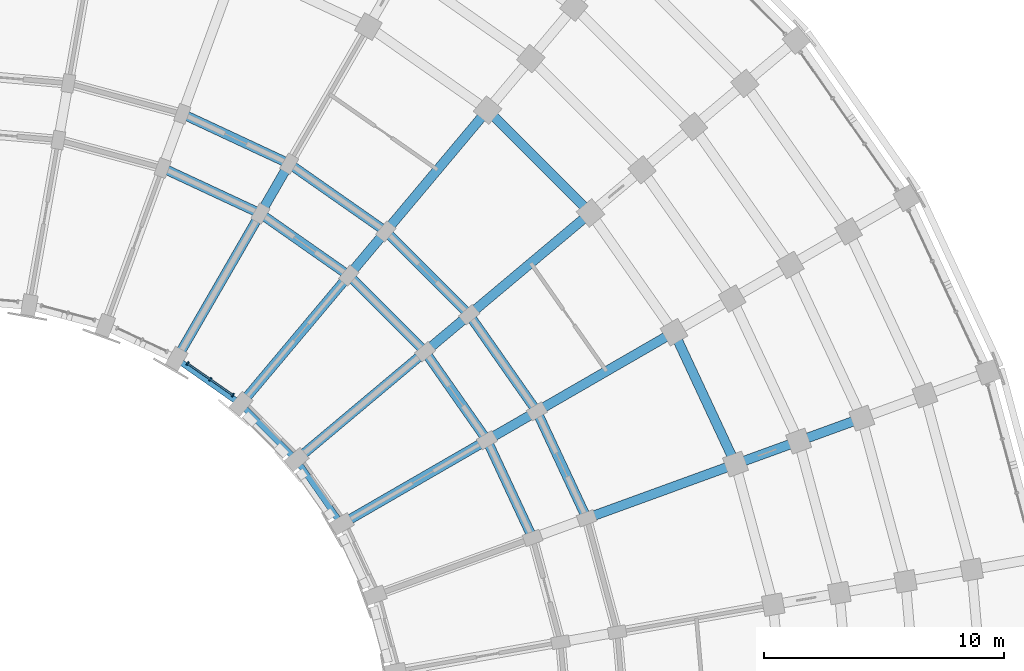
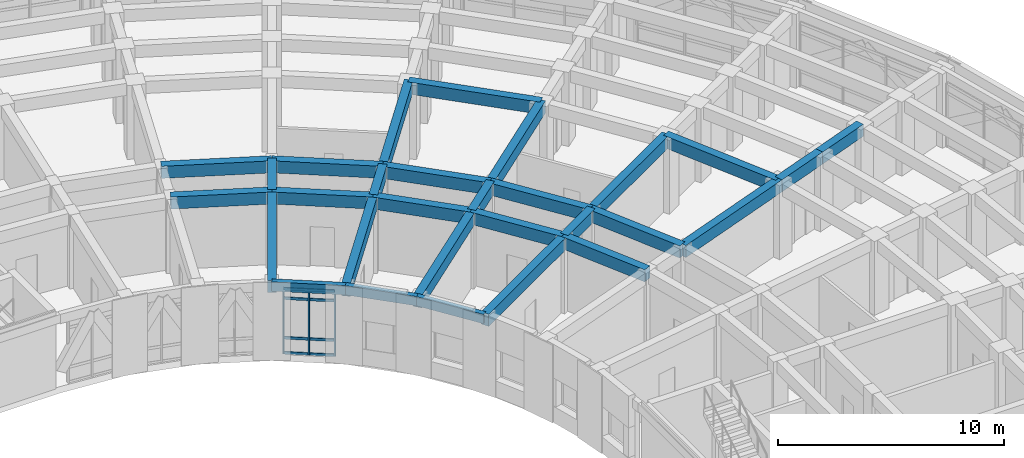
# One storey, part 33 of 97: 29 beams, 7 members, 1 element without a shape of its own.
"""IFC4 building model written with IfcOpenShell, lengths in metres."""

from ifc_helpers import new_model, si_unit, direction, frame, origin, origin_2d, place, context, subcontext, project, spatial, rectangle, extrude, material, material_profile, profile_set, type_object, element, aggregate, save


model = new_model("IFC4")

# Units and contexts
model_context = context("Model", 3, precision=1e-05, world=origin(), true_north=direction((0.0, 1.0)))
body_context = subcontext(model_context, "Body", "Model", "MODEL_VIEW")
ifc_project = project(units=[si_unit("LENGTHUNIT", "METRE"), si_unit("AREAUNIT", "SQUARE_METRE"), si_unit("VOLUMEUNIT", "CUBIC_METRE"), si_unit("PLANEANGLEUNIT", "RADIAN"), si_unit("MASSUNIT", "GRAM", prefix="KILO")], contexts=[model_context])

# Site, building, storey
site_placement = place(None, origin())
site = spatial("IfcSite", under=ifc_project, at=site_placement, CompositionType="ELEMENT")
building_placement = place(site_placement, origin())
building = spatial("IfcBuilding", under=site, at=building_placement, Name="Kiranvali Square Residences", CompositionType="ELEMENT")
storey_placement = place(building_placement, frame((0.0, 0.0, 4.5)))
storey = spatial("IfcBuildingStorey", under=building, at=storey_placement, Name="L01", CompositionType="ELEMENT", Elevation=4.5)

# Beams
ifc_material_1 = material(Name="Concrete M45 (45 MPa)", Category="concrete")
ifc_material_profile_1 = material_profile(ifc_material_1, rectangle(XDim=0.39990234375, YDim=0.64990234375, at=origin_2d()), Name="RC 400x650")
ifc_profile_set_1 = profile_set([ifc_material_profile_1], Name="Concrete M45 (45 MPa)")
beam_type_1 = type_object("IfcBeamType", Name="BM-M45-400x650", PredefinedType="BEAM", material=ifc_profile_set_1)
beam_1_placement = place(storey_placement, frame((128.6240234375, 112.044189453125, 3.655029296875), z_axis=(0.906307919131, -0.422617978463, 0.0), x_axis=(0.422617978463, 0.906307919131, 0.0)))
element("IfcBeam", 1, at=beam_1_placement, inside=storey, type_object=beam_type_1, Name="L01 beam BM-B-L01-C02-R1", PredefinedType="BEAM", context=body_context, shape_type="SweptSolid", body=[
    extrude(rectangle(XDim=0.39990234375, YDim=0.64990234375, at=origin_2d()), origin(), (0.0, 0.0, 1.0), 4.497314453125),
])
beam_2_placement = place(storey_placement, frame((129.445068359375, 114.29931640625, 3.655029296875), z_axis=(0.906302381024, -0.422629854778, 0.0), x_axis=(0.422629854778, 0.906302381024, 0.0)))
element("IfcBeam", 2, at=beam_2_placement, inside=storey, type_object=beam_type_1, Name="L01 beam BM-B-L01-C02-R2", PredefinedType="BEAM", context=body_context, shape_type="SweptSolid", body=[
    extrude(rectangle(XDim=0.39990234375, YDim=0.64990234375, at=origin_2d()), origin(), (0.0, 0.0, 1.0), 4.915283203125),
])
beam_3_placement = place(storey_placement, frame((132.699951171875, 110.1435546875, 3.655029296875), z_axis=(0.819155404658, -0.573571637217, 0.0), x_axis=(0.573571637217, 0.819155404658, 0.0)))
element("IfcBeam", 3, at=beam_3_placement, inside=storey, type_object=beam_type_1, Name="L01 beam BM-B-L01-C03-R1", PredefinedType="BEAM", context=body_context, shape_type="SweptSolid", body=[
    extrude(rectangle(XDim=0.39990234375, YDim=0.64990234375, at=origin_2d()), origin(), (0.0, 0.0, 1.0), 4.497314453125),
])
beam_4_placement = place(storey_placement, frame((133.89990234375, 112.221923828125, 3.655029296875), z_axis=(0.819140911474, -0.573592335331, 0.0), x_axis=(0.573592335331, 0.819140911474, 0.0)))
element("IfcBeam", 4, at=beam_4_placement, inside=storey, type_object=beam_type_1, Name="L01 beam BM-B-L01-C03-R2", PredefinedType="BEAM", context=body_context, shape_type="SweptSolid", body=[
    extrude(rectangle(XDim=0.39990234375, YDim=0.64990234375, at=origin_2d()), origin(), (0.0, 0.0, 1.0), 4.915771484375),
])
beam_5_placement = place(storey_placement, frame((136.384033203125, 107.56396484375, 3.655029296875), z_axis=(0.707106781187, -0.707106781187, 0.0), x_axis=(0.707106781187, 0.707106781187, 0.0)))
element("IfcBeam", 5, at=beam_5_placement, inside=storey, type_object=beam_type_1, Name="L01 beam BM-B-L01-C04-R1", PredefinedType="BEAM", context=body_context, shape_type="SweptSolid", body=[
    extrude(rectangle(XDim=0.39990234375, YDim=0.64990234375, at=origin_2d()), origin(), (0.0, 0.0, 1.0), 4.4970703125),
])
beam_6_placement = place(storey_placement, frame((137.926513671875, 109.40234375, 3.655029296875), z_axis=(0.707106781187, -0.707106781187, 0.0), x_axis=(0.707106781187, 0.707106781187, 0.0)))
element("IfcBeam", 6, at=beam_6_placement, inside=storey, type_object=beam_type_1, Name="L01 beam BM-B-L01-C04-R2", PredefinedType="BEAM", context=body_context, shape_type="SweptSolid", body=[
    extrude(rectangle(XDim=0.39990234375, YDim=0.64990234375, at=origin_2d()), origin(), (0.0, 0.0, 1.0), 4.91552734375),
])
beam_7_placement = place(storey_placement, frame((142.1689453125, 114.458251953125, 3.655029296875), z_axis=(0.707106781187, -0.707106781187, 0.0), x_axis=(0.707106781187, 0.707106781187, 0.0)))
element("IfcBeam", 7, at=beam_7_placement, inside=storey, type_object=beam_type_1, Name="L01 beam BM-B-L01-C04-R3", PredefinedType="BEAM", context=body_context, shape_type="SweptSolid", body=[
    extrude(rectangle(XDim=0.39990234375, YDim=0.64990234375, at=origin_2d()), origin(), (0.0, 0.0, 1.0), 6.06591796875),
])
beam_8_placement = place(storey_placement, frame((139.56396484375, 104.384033203125, 3.655029296875), z_axis=(0.573571637217, -0.819155404658, 0.0), x_axis=(0.819155404658, 0.573571637217, 0.0)))
element("IfcBeam", 8, at=beam_8_placement, inside=storey, type_object=beam_type_1, Name="L01 beam BM-B-L01-C05-R1", PredefinedType="BEAM", context=body_context, shape_type="SweptSolid", body=[
    extrude(rectangle(XDim=0.39990234375, YDim=0.64990234375, at=origin_2d()), origin(), (0.0, 0.0, 1.0), 4.497314453125),
])
beam_9_placement = place(storey_placement, frame((141.40234375, 105.926513671875, 3.655029296875), z_axis=(0.573592335331, -0.819140911474, 0.0), x_axis=(0.819140911474, 0.573592335331, 0.0)))
element("IfcBeam", 9, at=beam_9_placement, inside=storey, type_object=beam_type_1, Name="L01 beam BM-B-L01-C05-R2", PredefinedType="BEAM", context=body_context, shape_type="SweptSolid", body=[
    extrude(rectangle(XDim=0.39990234375, YDim=0.64990234375, at=origin_2d()), origin(), (0.0, 0.0, 1.0), 4.915771484375),
])
beam_10_placement = place(storey_placement, frame((142.1435546875, 100.699951171875, 3.655029296875), z_axis=(0.422617978463, -0.906307919131, 0.0), x_axis=(0.906307919131, 0.422617978463, 0.0)))
element("IfcBeam", 10, at=beam_10_placement, inside=storey, type_object=beam_type_1, Name="L01 beam BM-B-L01-C06-R1", PredefinedType="BEAM", context=body_context, shape_type="SweptSolid", body=[
    extrude(rectangle(XDim=0.39990234375, YDim=0.64990234375, at=origin_2d()), origin(), (0.0, 0.0, 1.0), 4.497314453125),
])
beam_11_placement = place(storey_placement, frame((144.221923828125, 101.89990234375, 3.655029296875), z_axis=(0.422629854778, -0.906302381024, 0.0), x_axis=(0.906302381024, 0.422629854778, 0.0)))
element("IfcBeam", 11, at=beam_11_placement, inside=storey, type_object=beam_type_1, Name="L01 beam BM-B-L01-C06-R2", PredefinedType="BEAM", context=body_context, shape_type="SweptSolid", body=[
    extrude(rectangle(XDim=0.39990234375, YDim=0.64990234375, at=origin_2d()), origin(), (0.0, 0.0, 1.0), 4.915283203125),
])
beam_12_placement = place(storey_placement, frame((149.937744140625, 105.199951171875, 3.655029296875), z_axis=(0.42260781991, -0.906312656069, 0.0), x_axis=(0.906312656069, 0.42260781991, 0.0)))
element("IfcBeam", 12, at=beam_12_placement, inside=storey, type_object=beam_type_1, Name="L01 beam BM-B-L01-C06-R3", PredefinedType="BEAM", context=body_context, shape_type="SweptSolid", body=[
    extrude(rectangle(XDim=0.39990234375, YDim=0.64990234375, at=origin_2d()), origin(), (0.0, 0.0, 1.0), 6.06591796875),
])
beam_13_placement = place(storey_placement, frame((129.199951171875, 104.081298828125, 3.655029296875), z_axis=(0.499995173006, 0.866028190633, 0.0), x_axis=(-0.866028190633, 0.499995173006, 0.0)))
element("IfcBeam", 13, at=beam_13_placement, inside=storey, type_object=beam_type_1, Name="L01 beam BM-B-L01-RAD03-01", PredefinedType="BEAM", context=body_context, shape_type="SweptSolid", body=[
    extrude(rectangle(XDim=0.39990234375, YDim=0.64990234375, at=origin_2d()), origin(), (0.0, 0.0, 1.0), 7.0),
])
beam_14_placement = place(storey_placement, frame((132.699951171875, 110.1435546875, 3.655029296875), z_axis=(0.500001309137, 0.866024647952, 0.0), x_axis=(-0.866024647952, 0.500001309137, 0.0)))
element("IfcBeam", 14, at=beam_14_placement, inside=storey, type_object=beam_type_1, Name="L01 beam BM-B-L01-RAD03-12", PredefinedType="BEAM", context=body_context, shape_type="SweptSolid", body=[
    extrude(rectangle(XDim=0.39990234375, YDim=0.64990234375, at=origin_2d()), origin(), (0.0, 0.0, 1.0), 2.39990234375),
])
beam_15_placement = place(storey_placement, frame((131.884521484375, 102.20166015625, 3.655029296875), z_axis=(0.642787931032, 0.766044173478, 0.0), x_axis=(-0.766044173478, 0.642787931032, 0.0)))
element("IfcBeam", 15, at=beam_15_placement, inside=storey, type_object=beam_type_1, Name="L01 beam BM-B-L01-RAD04-01", PredefinedType="BEAM", context=body_context, shape_type="SweptSolid", body=[
    extrude(rectangle(XDim=0.39990234375, YDim=0.64990234375, at=origin_2d()), origin(), (0.0, 0.0, 1.0), 7.0),
])
beam_16_placement = place(storey_placement, frame((136.384033203125, 107.56396484375, 3.655029296875), z_axis=(0.642762521781, 0.766065493671, 0.0), x_axis=(-0.766065493671, 0.642762521781, 0.0)))
element("IfcBeam", 16, at=beam_16_placement, inside=storey, type_object=beam_type_1, Name="L01 beam BM-B-L01-RAD04-12", PredefinedType="BEAM", context=body_context, shape_type="SweptSolid", body=[
    extrude(rectangle(XDim=0.39990234375, YDim=0.64990234375, at=origin_2d()), origin(), (0.0, 0.0, 1.0), 2.399658203125),
])
beam_17_placement = place(storey_placement, frame((137.926513671875, 109.40234375, 3.655029296875), z_axis=(0.642789470807, 0.766042881449, 0.0), x_axis=(-0.766042881449, 0.642789470807, 0.0)))
element("IfcBeam", 17, at=beam_17_placement, inside=storey, type_object=beam_type_1, Name="L01 beam BM-B-L01-RAD04-23", PredefinedType="BEAM", context=body_context, shape_type="SweptSolid", body=[
    extrude(rectangle(XDim=0.39990234375, YDim=0.64990234375, at=origin_2d()), origin(), (0.0, 0.0, 1.0), 6.60009765625),
])
beam_18_placement = place(storey_placement, frame((134.20166015625, 99.884521484375, 3.655029296875), z_axis=(0.766044173478, 0.642787931032, 0.0), x_axis=(-0.642787931032, 0.766044173478, 0.0)))
element("IfcBeam", 18, at=beam_18_placement, inside=storey, type_object=beam_type_1, Name="L01 beam BM-B-L01-RAD05-01", PredefinedType="BEAM", context=body_context, shape_type="SweptSolid", body=[
    extrude(rectangle(XDim=0.39990234375, YDim=0.64990234375, at=origin_2d()), origin(), (0.0, 0.0, 1.0), 7.0),
])
beam_19_placement = place(storey_placement, frame((139.56396484375, 104.384033203125, 3.655029296875), z_axis=(0.766065493671, 0.642762521781, 0.0), x_axis=(-0.642762521781, 0.766065493671, 0.0)))
element("IfcBeam", 19, at=beam_19_placement, inside=storey, type_object=beam_type_1, Name="L01 beam BM-B-L01-RAD05-12", PredefinedType="BEAM", context=body_context, shape_type="SweptSolid", body=[
    extrude(rectangle(XDim=0.39990234375, YDim=0.64990234375, at=origin_2d()), origin(), (0.0, 0.0, 1.0), 2.399658203125),
])
beam_20_placement = place(storey_placement, frame((141.40234375, 105.926513671875, 3.655029296875), z_axis=(0.766042881449, 0.642789470807, 0.0), x_axis=(-0.642789470807, 0.766042881449, 0.0)))
element("IfcBeam", 20, at=beam_20_placement, inside=storey, type_object=beam_type_1, Name="L01 beam BM-B-L01-RAD05-23", PredefinedType="BEAM", context=body_context, shape_type="SweptSolid", body=[
    extrude(rectangle(XDim=0.39990234375, YDim=0.64990234375, at=origin_2d()), origin(), (0.0, 0.0, 1.0), 6.60009765625),
])
beam_21_placement = place(storey_placement, frame((136.081298828125, 97.199951171875, 3.655029296875), z_axis=(0.866028190633, 0.499995173006, 0.0), x_axis=(-0.499995173006, 0.866028190633, 0.0)))
element("IfcBeam", 21, at=beam_21_placement, inside=storey, type_object=beam_type_1, Name="L01 beam BM-B-L01-RAD06-01", PredefinedType="BEAM", context=body_context, shape_type="SweptSolid", body=[
    extrude(rectangle(XDim=0.39990234375, YDim=0.64990234375, at=origin_2d()), origin(), (0.0, 0.0, 1.0), 7.0),
])
beam_22_placement = place(storey_placement, frame((142.1435546875, 100.699951171875, 3.655029296875), z_axis=(0.866024647952, 0.500001309137, 0.0), x_axis=(-0.500001309137, 0.866024647952, 0.0)))
element("IfcBeam", 22, at=beam_22_placement, inside=storey, type_object=beam_type_1, Name="L01 beam BM-B-L01-RAD06-12", PredefinedType="BEAM", context=body_context, shape_type="SweptSolid", body=[
    extrude(rectangle(XDim=0.39990234375, YDim=0.64990234375, at=origin_2d()), origin(), (0.0, 0.0, 1.0), 2.39990234375),
])
beam_23_placement = place(storey_placement, frame((144.221923828125, 101.89990234375, 3.655029296875), z_axis=(0.866024194504, 0.500002094529, 0.0), x_axis=(-0.500002094529, 0.866024194504, 0.0)))
element("IfcBeam", 23, at=beam_23_placement, inside=storey, type_object=beam_type_1, Name="L01 beam BM-B-L01-RAD06-23", PredefinedType="BEAM", context=body_context, shape_type="SweptSolid", body=[
    extrude(rectangle(XDim=0.39990234375, YDim=0.64990234375, at=origin_2d()), origin(), (0.0, 0.0, 1.0), 6.60009765625),
])
beam_24_placement = place(storey_placement, frame((146.29931640625, 97.445068359375, 3.655029296875), z_axis=(0.939691858249, 0.342022238372, 0.0), x_axis=(-0.342022238372, 0.939691858249, 0.0)))
element("IfcBeam", 24, at=beam_24_placement, inside=storey, type_object=beam_type_1, Name="L01 beam BM-B-L01-RAD07-23", PredefinedType="BEAM", context=body_context, shape_type="SweptSolid", body=[
    extrude(rectangle(XDim=0.39990234375, YDim=0.64990234375, at=origin_2d()), origin(), (0.0, 0.0, 1.0), 6.599853515625),
])
beam_25_placement = place(storey_placement, frame((152.501220703125, 99.702392578125, 3.655029296875), z_axis=(0.93970683422, 0.341981089711, 0.0), x_axis=(-0.341981089711, 0.93970683422, 0.0)))
element("IfcBeam", 25, at=beam_25_placement, inside=storey, type_object=beam_type_1, Name="L01 beam BM-B-L01-RAD07-34", PredefinedType="BEAM", context=body_context, shape_type="SweptSolid", body=[
    extrude(rectangle(XDim=0.39990234375, YDim=0.64990234375, at=origin_2d()), origin(), (0.0, 0.0, 1.0), 2.7998046875),
])
beam_26_placement = place(storey_placement, frame((155.13232421875, 100.659912109375, 3.655029296875), z_axis=(0.939689011208, 0.342030060398, 0.0), x_axis=(-0.342030060398, 0.939689011208, 0.0)))
element("IfcBeam", 26, at=beam_26_placement, inside=storey, type_object=beam_type_1, Name="L01 beam BM-B-L01-RAD07-45", PredefinedType="BEAM", context=body_context, shape_type="SweptSolid", body=[
    extrude(rectangle(XDim=0.39990234375, YDim=0.64990234375, at=origin_2d()), origin(), (0.0, 0.0, 1.0), 2.80029296875),
])

# Curtain wall, members
ifc_material_2 = material(Name="Anodised bronze aluminium framing", Category="aluminium")
curtain_wall_type = type_object("IfcCurtainWallType", Name="CW-RET-SHOP", PredefinedType="USERDEFINED", material=ifc_material_2)
curtain_wall_placement = place(storey_placement, origin())
curtain_wall = element("IfcCurtainWall", 27, at=curtain_wall_placement, inside=storey, type_object=curtain_wall_type, Name="Block B L01 garden foyer curtain wall 4", ObjectType="CURTAIN WALL", PredefinedType="USERDEFINED")
ifc_material_profile_2 = material_profile(ifc_material_2, rectangle(XDim=0.06494140625, YDim=0.159912109375, at=origin_2d()), Name="ALU 65x160")
ifc_profile_set_2 = profile_set([ifc_material_profile_2], Name="Anodised bronze aluminium framing")
member_type_1 = type_object("IfcMemberType", Name="CW-MUL-160", PredefinedType="MULLION", material=ifc_profile_set_2)
member_1_placement = place(storey_placement, frame((129.670166015625, 103.8984375, 0.02001953125), z_axis=(0.0, 0.0, 1.0), x_axis=(0.819152044289, -0.573576436351, 0.0)))
member_1 = element("IfcMember", 28, at=member_1_placement, type_object=member_type_1, Name="CW-B-L01-GDN-03 vertical mullion 1", PredefinedType="MULLION", context=body_context, shape_type="SweptSolid", body=[
    extrude(rectangle(XDim=0.06494140625, YDim=0.159912109375, at=origin_2d()), origin(), (0.0, 0.0, 1.0), 3.489990234375),
])
member_2_placement = place(storey_placement, frame((130.611083984375, 103.23974609375, 0.02001953125), z_axis=(0.0, 0.0, 1.0), x_axis=(0.819152044289, -0.573576436351, 0.0)))
member_2 = element("IfcMember", 29, at=member_2_placement, type_object=member_type_1, Name="CW-B-L01-GDN-03 vertical mullion 2", PredefinedType="MULLION", context=body_context, shape_type="SweptSolid", body=[
    extrude(rectangle(XDim=0.06494140625, YDim=0.159912109375, at=origin_2d()), origin(), (0.0, 0.0, 1.0), 3.489990234375),
])
member_3_placement = place(storey_placement, frame((131.5517578125, 102.5810546875, 0.02001953125), z_axis=(0.0, 0.0, 1.0), x_axis=(0.819152044289, -0.573576436351, 0.0)))
member_3 = element("IfcMember", 30, at=member_3_placement, type_object=member_type_1, Name="CW-B-L01-GDN-03 vertical mullion 3", PredefinedType="MULLION", context=body_context, shape_type="SweptSolid", body=[
    extrude(rectangle(XDim=0.06494140625, YDim=0.159912109375, at=origin_2d()), origin(), (0.0, 0.0, 1.0), 3.489990234375),
])
ifc_material_profile_3 = material_profile(ifc_material_2, rectangle(XDim=0.06494140625, YDim=0.139892578125, at=origin_2d()), Name="ALU 65x140")
ifc_profile_set_3 = profile_set([ifc_material_profile_3], Name="Anodised bronze aluminium framing")
member_type_2 = type_object("IfcMemberType", Name="CW-TRN-140", PredefinedType="MULLION", material=ifc_profile_set_3)
member_4_placement = place(storey_placement, frame((129.678466796875, 103.892822265625, 0.0400390625), z_axis=(0.819131167898, -0.573606249772, 0.0), x_axis=(0.573606249772, 0.819131167898, 0.0)))
member_4 = element("IfcMember", 31, at=member_4_placement, type_object=member_type_2, Name="CW-B-L01-GDN-03 horizontal transom 1", PredefinedType="MULLION", context=body_context, shape_type="SweptSolid", body=[
    extrude(rectangle(XDim=0.06494140625, YDim=0.139892578125, at=origin_2d()), origin(), (0.0, 0.0, 1.0), 2.277099609375),
])
member_5_placement = place(storey_placement, frame((129.678466796875, 103.892822265625, 0.85009765625), z_axis=(0.819131167898, -0.573606249772, 0.0), x_axis=(0.573606249772, 0.819131167898, 0.0)))
member_5 = element("IfcMember", 32, at=member_5_placement, type_object=member_type_2, Name="CW-B-L01-GDN-03 horizontal transom 2", PredefinedType="MULLION", context=body_context, shape_type="SweptSolid", body=[
    extrude(rectangle(XDim=0.06494140625, YDim=0.139892578125, at=origin_2d()), origin(), (0.0, 0.0, 1.0), 2.277099609375),
])
member_6_placement = place(storey_placement, frame((129.678466796875, 103.892822265625, 2.97998046875), z_axis=(0.819131167898, -0.573606249772, 0.0), x_axis=(0.573606249772, 0.819131167898, 0.0)))
member_6 = element("IfcMember", 33, at=member_6_placement, type_object=member_type_2, Name="CW-B-L01-GDN-03 horizontal transom 3", PredefinedType="MULLION", context=body_context, shape_type="SweptSolid", body=[
    extrude(rectangle(XDim=0.06494140625, YDim=0.139892578125, at=origin_2d()), origin(), (0.0, 0.0, 1.0), 2.277099609375),
])
member_7_placement = place(storey_placement, frame((129.678466796875, 103.892822265625, 3.489990234375), z_axis=(0.819131167898, -0.573606249772, 0.0), x_axis=(0.573606249772, 0.819131167898, 0.0)))
member_7 = element("IfcMember", 34, at=member_7_placement, type_object=member_type_2, Name="CW-B-L01-GDN-03 horizontal transom 4", PredefinedType="MULLION", context=body_context, shape_type="SweptSolid", body=[
    extrude(rectangle(XDim=0.06494140625, YDim=0.139892578125, at=origin_2d()), origin(), (0.0, 0.0, 1.0), 2.277099609375),
])
aggregate(curtain_wall, [member_1, member_2, member_3, member_4, member_5, member_6, member_7])

# Beams
ifc_material_3 = material(Name="Concrete M40 (40 MPa)", Category="concrete")
ifc_material_profile_4 = material_profile(ifc_material_3, rectangle(XDim=0.25, YDim=0.5, at=origin_2d()), Name="RC 250x500")
ifc_profile_set_4 = profile_set([ifc_material_profile_4], Name="Concrete M40 (40 MPa)")
beam_type_2 = type_object("IfcBeamType", Name="SPN-M40-250x500", PredefinedType="SPANDREL", material=ifc_profile_set_4)
beam_27_placement = place(storey_placement, frame((129.199951171875, 104.081298828125, 3.72998046875), z_axis=(0.81916891812, -0.573552337269, 0.0), x_axis=(0.573552337269, 0.81916891812, 0.0)))
element("IfcBeam", 35, at=beam_27_placement, inside=storey, type_object=beam_type_2, Name="L01 beam BM-B-L01-C03-R0", PredefinedType="SPANDREL", context=body_context, shape_type="SweptSolid", body=[
    extrude(rectangle(XDim=0.25, YDim=0.5, at=origin_2d()), origin(), (0.0, 0.0, 1.0), 3.277099609375),
])
beam_28_placement = place(storey_placement, frame((131.884521484375, 102.20166015625, 3.72998046875), z_axis=(0.707106781187, -0.707106781187, 0.0), x_axis=(0.707106781187, 0.707106781187, 0.0)))
element("IfcBeam", 36, at=beam_28_placement, inside=storey, type_object=beam_type_2, Name="L01 beam BM-B-L01-C04-R0", PredefinedType="SPANDREL", context=body_context, shape_type="SweptSolid", body=[
    extrude(rectangle(XDim=0.25, YDim=0.5, at=origin_2d()), origin(), (0.0, 0.0, 1.0), 3.27685546875),
])
beam_29_placement = place(storey_placement, frame((134.20166015625, 99.884521484375, 3.72998046875), z_axis=(0.573552337269, -0.81916891812, 0.0), x_axis=(0.81916891812, 0.573552337269, 0.0)))
element("IfcBeam", 37, at=beam_29_placement, inside=storey, type_object=beam_type_2, Name="L01 beam BM-B-L01-C05-R0", PredefinedType="SPANDREL", context=body_context, shape_type="SweptSolid", body=[
    extrude(rectangle(XDim=0.25, YDim=0.5, at=origin_2d()), origin(), (0.0, 0.0, 1.0), 3.277099609375),
])

save(model, "model.ifc")
